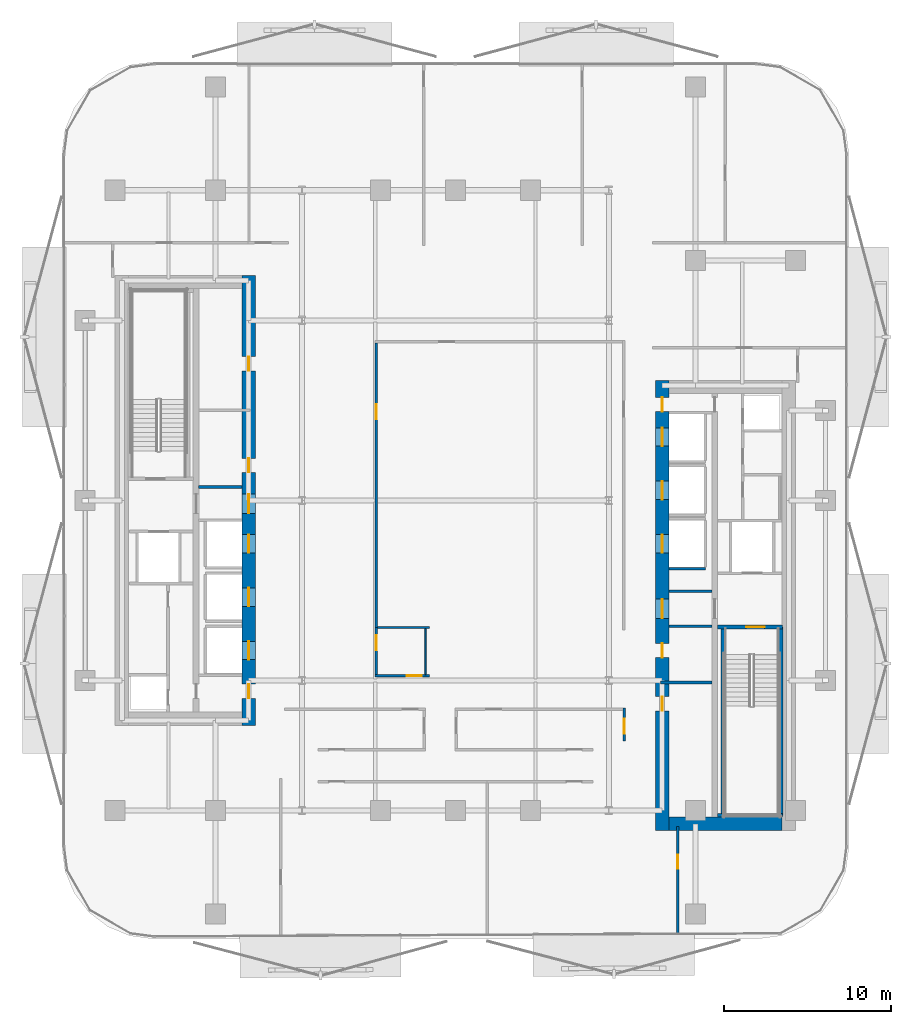
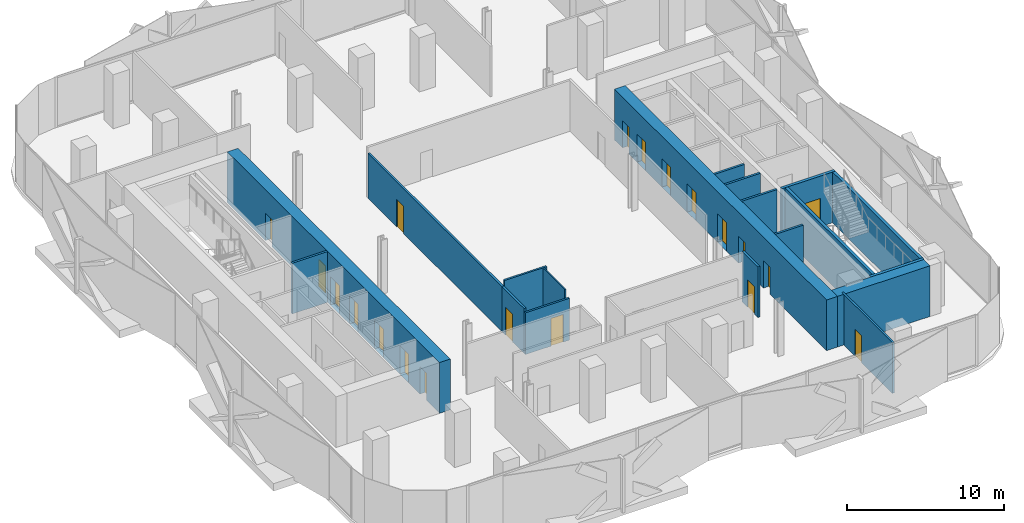
# One storey, part 4 of 15: 20 doors, 19 walls, 20 openings.
"""IFC4 building model written with IfcOpenShell, lengths in metres."""

from ifc_helpers import new_model, si_unit, direction, frame, frame_2d, origin, place, context, subcontext, project, spatial, rectangle, extrude, material, layer, layer_set, type_object, element, fill, save


model = new_model("IFC4")

# Units and contexts
model_context = context("Model", 3, precision=1e-05, world=origin(), true_north=direction((0.0, 1.0)))
body_context = subcontext(model_context, "Body", "Model", "MODEL_VIEW")
ifc_project = project(units=[si_unit("LENGTHUNIT", "METRE"), si_unit("AREAUNIT", "SQUARE_METRE"), si_unit("VOLUMEUNIT", "CUBIC_METRE"), si_unit("PLANEANGLEUNIT", "RADIAN"), si_unit("MASSUNIT", "GRAM", prefix="KILO")], contexts=[model_context])

# Site, building, storey
site_placement = place(None, origin())
site = spatial("IfcSite", under=ifc_project, at=site_placement, CompositionType="ELEMENT")
building_placement = place(site_placement, origin())
building = spatial("IfcBuilding", under=site, at=building_placement, Name="Khairoan Windgate Tower", CompositionType="ELEMENT")
storey_placement = place(building_placement, frame((0.0, 0.0, 122.60009765625)))
storey = spatial("IfcBuildingStorey", under=building, at=storey_placement, Name="L28", CompositionType="ELEMENT", Elevation=122.60009765625)

# Walls
ifc_material_1 = material(Name="Moisture-Resistant Gypsum Partition", Category="gypsum")
ifc_layer_1 = layer(ifc_material_1, 0.10009765625, Name="Moisture-Resistant Gypsum Partition")
ifc_layer_set_1 = layer_set([ifc_layer_1], Name="Moisture-Resistant Gypsum Partition")
wall_type_1 = type_object("IfcWallType", Name="Bathroom Wet-Area Partition Wall", PredefinedType="PARTITIONING", material=ifc_layer_set_1)
wall_1_placement = place(storey_placement, frame((-1.800048828125, -7.68994140625, 0.0), z_axis=(0.0, 0.0, 1.0), x_axis=(0.0, -1.0, 0.0)))
element("IfcWall", 1, at=wall_1_placement, inside=storey, type_object=wall_type_1, Name="L28 Wet Room Side Wall 043", PredefinedType="PARTITIONING", context=body_context, shape_type="SweptSolid", body=[
    extrude(rectangle(XDim=2.755126953125, YDim=0.10009765625, at=frame_2d((1.37744140625, 0.0))), origin(), (0.0, 0.0, 1.0), 3.93994140625),
])
ifc_material_2 = material(Name="Concrete C40/50", Category="concrete")
ifc_layer_2 = layer(ifc_material_2, 0.159912109375, Name="Concrete C40/50")
ifc_layer_set_2 = layer_set([ifc_layer_2], Name="Concrete C40/50")
wall_type_2 = type_object("IfcWallType", Name="Core and Hoistway Enclosure Wall", PredefinedType="STANDARD", material=ifc_layer_set_2)
wall_2_placement = place(storey_placement, frame((12.800048828125, -4.090087890625, 0.0), z_axis=(0.0, 0.0, 1.0), x_axis=(1.0, 0.0, 0.0)))
element("IfcWall", 2, at=wall_2_placement, inside=storey, type_object=wall_type_2, Name="L28 Lift PL9 Hoistway Divider S", PredefinedType="STANDARD", context=body_context, shape_type="SweptSolid", body=[
    extrude(rectangle(XDim=2.18994140625, YDim=0.159912109375, at=frame_2d((1.094970703125, 0.0))), origin(), (0.0, 0.0, 1.0), 3.93994140625),
])
for number, where, z_axis, x_axis, name in (
    (3, (-15.39990234375, 0.800048828125, 0.0), (0.0, 0.0, 1.0), (1.0, 0.0, 0.0), "L28 Core Shaft Wall SW-WV1-L28"),
    (4, (12.800048828125, -5.449951171875, 0.0), (0.0, 0.0, 1.0), (1.0, 0.0, 0.0), "L28 Core Shaft Wall SW-EV1-L28"),
    (5, (12.800048828125, -7.5400390625, 0.0), (0.0, 0.0, 1.0), (1.0, 0.0, 0.0), "L28 Core Shaft Wall SW-EV2-L28"),
):
    element("IfcWall", number, at=place(storey_placement, frame(where, z_axis=z_axis, x_axis=x_axis)), inside=storey, type_object=wall_type_2, Name=name, PredefinedType="STANDARD", context=body_context, shape_type="SweptSolid", body=[
        extrude(rectangle(XDim=2.599853515625, YDim=0.159912109375, at=frame_2d((1.2998046875, 0.0))), origin(), (0.0, 0.0, 1.0), 3.93994140625),
    ])

# Wall, opening, door
ifc_material_3 = material(Name="Acoustic Fire-Rated Gypsum Partition", Category="gypsum")
ifc_layer_3 = layer(ifc_material_3, 0.139892578125, Name="Acoustic Fire-Rated Gypsum Partition")
ifc_layer_set_3 = layer_set([ifc_layer_3], Name="Acoustic Fire-Rated Gypsum Partition")
wall_type_3 = type_object("IfcWallType", Name="Inter-Tenancy Compartment Wall", PredefinedType="PARTITIONING", material=ifc_layer_set_3)
wall_3_placement = place(storey_placement, frame((13.327880859375, -26.001220703125, 0.0), z_axis=(0.0, 0.0, 1.0), x_axis=(0.0, 1.0, 0.0)))
wall_3 = element("IfcWall", 6, at=wall_3_placement, inside=storey, type_object=wall_type_3, Name="L28 Interior Partition 040", PredefinedType="PARTITIONING", context=body_context, shape_type="SweptSolid", body=[
    extrude(rectangle(XDim=6.441162109375, YDim=0.139892578125, at=frame_2d((3.220703125, 0.0))), origin(), (0.0, 0.0, 1.0), 3.93994140625),
])
opening_1_placement = place(wall_3_placement, frame((3.91259765625, 0.0, 0.0)))
opening_1 = element("IfcOpeningElement", 7, at=opening_1_placement, cuts=wall_3, Name="Opening FD-SRV", PredefinedType="OPENING", context=body_context, shape_type="SweptSolid", body=[
    extrude(rectangle(XDim=0.85009765625, YDim=2.10009765625, at=frame_2d((0.425048828125, 1.050048828125))), frame((0.0, 0.079833984375, 0.0), z_axis=(0.0, -1.0, 0.0), x_axis=(1.0, 0.0, 0.0)), (0.0, 0.0, 1.0), 0.159912109375),
])
ifc_material_4 = material(Name="Steel S355", Category="steel")
door_type_1 = type_object("IfcDoorType", Name="Core Service and Riser Fire Door FD-SRV 850x2100", OperationType="NOTDEFINED", PredefinedType="DOOR", material=ifc_material_4)
door_1_placement = place(opening_1_placement, origin())
door_1 = element("IfcDoor", 8, at=door_1_placement, inside=storey, type_object=door_type_1, Name="L28 L28-47-L28-48 Door", OperationType="SINGLE_SWING_LEFT", OverallHeight=2.10009765625, OverallWidth=0.85009765625, PredefinedType="DOOR", context=body_context, shape_type="SweptSolid", body=[
    extrude(rectangle(XDim=0.85009765625, YDim=2.10009765625, at=frame_2d((0.425048828125, 1.050048828125))), frame((0.0, 0.02490234375, 0.0), z_axis=(0.0, -1.0, 0.0), x_axis=(1.0, 0.0, 0.0)), (0.0, 0.0, 1.0), 0.050048828125),
])
fill(opening_1, door_1)

# Walls
wall_4_placement = place(storey_placement, frame((-4.669921875, -7.6201171875, 0.0), z_axis=(0.0, 0.0, 1.0), x_axis=(1.0, 0.0, 0.0)))
element("IfcWall", 9, at=wall_4_placement, inside=storey, type_object=wall_type_3, Name="L28 Interior Partition 041", PredefinedType="PARTITIONING", context=body_context, shape_type="SweptSolid", body=[
    extrude(rectangle(XDim=3.10986328125, YDim=0.139892578125, at=frame_2d((1.554931640625, 0.0))), origin(), (0.0, 0.0, 1.0), 3.93994140625),
])
ifc_material_5 = material(Name="Concrete C40/50", Category="concrete")
ifc_layer_4 = layer(ifc_material_5, 0.159912109375, Name="Concrete C40/50")
ifc_layer_set_4 = layer_set([ifc_layer_4], Name="Concrete C40/50")
wall_type_4 = type_object("IfcWallType", Name="Plant and Refuge Compartment Wall", PredefinedType="PARTITIONING", material=ifc_layer_set_4)
wall_5_placement = place(storey_placement, frame((12.31005859375, -10.919921875, 0.0), z_axis=(0.0, 0.0, 1.0), x_axis=(1.0, 0.0, 0.0)))
element("IfcWall", 10, at=wall_5_placement, inside=storey, type_object=wall_type_4, Name="L28 Interior Partition 010", PredefinedType="PARTITIONING", context=body_context, shape_type="SweptSolid", body=[
    extrude(rectangle(XDim=3.06494140625, YDim=0.159912109375, at=frame_2d((1.532470703125, 0.0))), origin(), (0.0, 0.0, 1.0), 3.239990234375),
])

# Wall, opening, door
ifc_material_6 = material(Name="Acoustic Fire-Rated Gypsum Partition", Category="gypsum")
ifc_layer_5 = layer(ifc_material_6, 0.14990234375, Name="Acoustic Fire-Rated Gypsum Partition")
ifc_layer_set_5 = layer_set([ifc_layer_5], Name="Acoustic Fire-Rated Gypsum Partition")
wall_type_5 = type_object("IfcWallType", Name="Rated Corridor Partition Wall", PredefinedType="PARTITIONING", material=ifc_layer_set_5)
wall_6_placement = place(storey_placement, frame((10.125, -14.43994140625, 0.0), z_axis=(0.0, 0.0, 1.0), x_axis=(0.0, 1.0, 0.0)))
wall_6 = element("IfcWall", 11, at=wall_6_placement, inside=storey, type_object=wall_type_5, Name="L28 Interior Partition 013", PredefinedType="PARTITIONING", context=body_context, shape_type="SweptSolid", body=[
    extrude(rectangle(XDim=2.0, YDim=0.14990234375, at=frame_2d((1.0, 0.0))), origin(), (0.0, 0.0, 1.0), 3.93994140625),
])
opening_2_placement = place(wall_6_placement, frame((0.4599609375, 0.0, 0.0)))
opening_2 = element("IfcOpeningElement", 12, at=opening_2_placement, cuts=wall_6, Name="Opening FD-ENT", PredefinedType="OPENING", context=body_context, shape_type="SweptSolid", body=[
    extrude(rectangle(XDim=0.89990234375, YDim=2.14990234375, at=frame_2d((0.449951171875, 1.074951171875))), frame((0.0, 0.0849609375, 0.0), z_axis=(0.0, -1.0, 0.0), x_axis=(1.0, 0.0, 0.0)), (0.0, 0.0, 1.0), 0.169921875),
])
ifc_material_7 = material(Name="Timber Fire-Rated Core", Category="wood")
door_type_2 = type_object("IfcDoorType", Name="Unit and Office Fire Entrance Door FD-ENT 900x2150", OperationType="NOTDEFINED", PredefinedType="DOOR", material=ifc_material_7)
door_2_placement = place(opening_2_placement, origin())
door_2 = element("IfcDoor", 13, at=door_2_placement, inside=storey, type_object=door_type_2, Name="L28 L28-29-L28-52 Door", OperationType="SINGLE_SWING_RIGHT", OverallHeight=2.14990234375, OverallWidth=0.89990234375, PredefinedType="DOOR", context=body_context, shape_type="SweptSolid", body=[
    extrude(rectangle(XDim=0.89990234375, YDim=2.14990234375, at=frame_2d((0.449951171875, 1.074951171875))), frame((0.0, 0.02490234375, 0.0), z_axis=(0.0, -1.0, 0.0), x_axis=(1.0, 0.0, 0.0)), (0.0, 0.0, 1.0), 0.050048828125),
])
fill(opening_2, door_2)

wall_7_placement = place(storey_placement, frame((-4.820068359375, -10.52001953125, 0.0), z_axis=(0.0, 0.0, 1.0), x_axis=(1.0, 0.0, 0.0)))
wall_7 = element("IfcWall", 14, at=wall_7_placement, inside=storey, type_object=wall_type_5, Name="L28 Interior Partition 015", PredefinedType="PARTITIONING", context=body_context, shape_type="SweptSolid", body=[
    extrude(rectangle(XDim=3.260009765625, YDim=0.14990234375, at=frame_2d((1.6298828125, 0.0))), origin(), (0.0, 0.0, 1.0), 3.239990234375),
])
opening_3_placement = place(wall_7_placement, frame((1.89990234375, 0.0, 0.0)))
opening_3 = element("IfcOpeningElement", 15, at=opening_3_placement, cuts=wall_7, Name="Opening FD-ENT", PredefinedType="OPENING", context=body_context, shape_type="SweptSolid", body=[
    extrude(rectangle(XDim=0.89990234375, YDim=2.14990234375, at=frame_2d((0.449951171875, 1.074951171875))), frame((0.0, 0.0849609375, 0.0), z_axis=(0.0, -1.0, 0.0), x_axis=(1.0, 0.0, 0.0)), (0.0, 0.0, 1.0), 0.169921875),
])
door_3_placement = place(opening_3_placement, origin())
door_3 = element("IfcDoor", 16, at=door_3_placement, inside=storey, type_object=door_type_2, Name="L28 L28-31-L28-49 Door", OperationType="SINGLE_SWING_RIGHT", OverallHeight=2.14990234375, OverallWidth=0.89990234375, PredefinedType="DOOR", context=body_context, shape_type="SweptSolid", body=[
    extrude(rectangle(XDim=0.89990234375, YDim=2.14990234375, at=frame_2d((0.449951171875, 1.074951171875))), frame((0.0, 0.02490234375, 0.0), z_axis=(0.0, -1.0, 0.0), x_axis=(1.0, 0.0, 0.0)), (0.0, 0.0, 1.0), 0.050048828125),
])
fill(opening_3, door_3)

wall_8_placement = place(storey_placement, frame((-4.7451171875, -10.445068359375, 0.0), z_axis=(0.0, 0.0, 1.0), x_axis=(0.0, 1.0, 0.0)))
wall_8 = element("IfcWall", 17, at=wall_8_placement, inside=storey, type_object=wall_type_5, Name="L28 Interior Partition 018", PredefinedType="PARTITIONING", context=body_context, shape_type="SweptSolid", body=[
    extrude(rectangle(XDim=2.824951171875, YDim=0.14990234375, at=frame_2d((1.41259765625, 0.0))), origin(), (0.0, 0.0, 1.0), 3.489990234375),
])
opening_4_placement = place(wall_8_placement, frame((1.465087890625, 0.0, 0.0)))
opening_4 = element("IfcOpeningElement", 18, at=opening_4_placement, cuts=wall_8, Name="Opening FD-ENT", PredefinedType="OPENING", context=body_context, shape_type="SweptSolid", body=[
    extrude(rectangle(XDim=0.89990234375, YDim=2.14990234375, at=frame_2d((0.449951171875, 1.074951171875))), frame((0.0, 0.0849609375, 0.0), z_axis=(0.0, -1.0, 0.0), x_axis=(1.0, 0.0, 0.0)), (0.0, 0.0, 1.0), 0.169921875),
])
door_4_placement = place(opening_4_placement, origin())
door_4 = element("IfcDoor", 19, at=door_4_placement, inside=storey, type_object=door_type_2, Name="L28 L28-32-L28-49 Door", OperationType="SINGLE_SWING_LEFT", OverallHeight=2.14990234375, OverallWidth=0.89990234375, PredefinedType="DOOR", context=body_context, shape_type="SweptSolid", body=[
    extrude(rectangle(XDim=0.89990234375, YDim=2.14990234375, at=frame_2d((0.449951171875, 1.074951171875))), frame((0.0, 0.02490234375, 0.0), z_axis=(0.0, -1.0, 0.0), x_axis=(1.0, 0.0, 0.0)), (0.0, 0.0, 1.0), 0.050048828125),
])
fill(opening_4, door_4)

wall_9_placement = place(storey_placement, frame((-4.7451171875, -7.6201171875, 0.0), z_axis=(0.0, 0.0, 1.0), x_axis=(0.0, 1.0, 0.0)))
wall_9 = element("IfcWall", 20, at=wall_9_placement, inside=storey, type_object=wall_type_5, Name="L28 Interior Partition 019", PredefinedType="PARTITIONING", context=body_context, shape_type="SweptSolid", body=[
    extrude(rectangle(XDim=17.065185546875, YDim=0.14990234375, at=frame_2d((8.53271484375, 0.0))), origin(), (0.0, 0.0, 1.0), 3.489990234375),
])
opening_5_placement = place(wall_9_placement, frame((12.49560546875, 0.0, 0.0)))
opening_5 = element("IfcOpeningElement", 21, at=opening_5_placement, cuts=wall_9, Name="Opening FD-ENT", PredefinedType="OPENING", context=body_context, shape_type="SweptSolid", body=[
    extrude(rectangle(XDim=0.89990234375, YDim=2.14990234375, at=frame_2d((0.449951171875, 1.074951171875))), frame((0.0, 0.0849609375, 0.0), z_axis=(0.0, -1.0, 0.0), x_axis=(1.0, 0.0, 0.0)), (0.0, 0.0, 1.0), 0.169921875),
])
door_5_placement = place(opening_5_placement, origin())
door_5 = element("IfcDoor", 22, at=door_5_placement, inside=storey, type_object=door_type_2, Name="L28 L28-32-L28-50 Door", OperationType="SINGLE_SWING_RIGHT", OverallHeight=2.14990234375, OverallWidth=0.89990234375, PredefinedType="DOOR", context=body_context, shape_type="SweptSolid", body=[
    extrude(rectangle(XDim=0.89990234375, YDim=2.14990234375, at=frame_2d((0.449951171875, 1.074951171875))), frame((0.0, 0.02490234375, 0.0), z_axis=(0.0, -1.0, 0.0), x_axis=(1.0, 0.0, 0.0)), (0.0, 0.0, 1.0), 0.050048828125),
])
fill(opening_5, door_5)

# Wall, openings, doors
ifc_material_8 = material(Name="Concrete C70/85", Category="concrete")
ifc_layer_6 = layer(ifc_material_8, 0.800048828125, Name="Concrete C70/85")
ifc_layer_set_6 = layer_set([ifc_layer_6], Name="Concrete C70/85")
wall_type_6 = type_object("IfcWallType", Name="Shear Wall CW-E1 800mm", PredefinedType="SHEAR", material=ifc_layer_set_6)
wall_10_placement = place(storey_placement, frame((12.39990234375, -19.800048828125, 0.0), z_axis=(0.0, 0.0, 1.0), x_axis=(0.0, 1.0, 0.0)))
wall_10 = element("IfcWall", 23, at=wall_10_placement, inside=storey, type_object=wall_type_6, Name="E Core West Shear Wall L28", PredefinedType="SHEAR", context=body_context, shape_type="SweptSolid", body=[
    extrude(rectangle(XDim=27.0, YDim=0.800048828125, at=frame_2d((13.5, 0.0))), origin(), (0.0, 0.0, 1.0), 3.93994140625),
])
opening_6_placement = place(wall_10_placement, frame((23.050048828125, 0.0, 0.0)))
opening_6 = element("IfcOpeningElement", 24, at=opening_6_placement, cuts=wall_10, Name="Opening LD-PL", PredefinedType="OPENING", context=body_context, shape_type="SweptSolid", body=[
    extrude(rectangle(XDim=1.10009765625, YDim=2.199951171875, at=frame_2d((0.550048828125, 1.10009765625))), frame((0.0, 0.409912109375, 0.0), z_axis=(0.0, -1.0, 0.0), x_axis=(1.0, 0.0, 0.0)), (0.0, 0.0, 1.0), 0.820068359375),
])
opening_7_placement = place(wall_10_placement, frame((19.85009765625, 0.0, 0.0)))
opening_7 = element("IfcOpeningElement", 25, at=opening_7_placement, cuts=wall_10, Name="Opening LD-PL", PredefinedType="OPENING", context=body_context, shape_type="SweptSolid", body=[
    extrude(rectangle(XDim=1.10009765625, YDim=2.199951171875, at=frame_2d((0.550048828125, 1.10009765625))), frame((0.0, 0.409912109375, 0.0), z_axis=(0.0, -1.0, 0.0), x_axis=(1.0, 0.0, 0.0)), (0.0, 0.0, 1.0), 0.820068359375),
])
opening_8_placement = place(wall_10_placement, frame((16.64990234375, 0.0, 0.0)))
opening_8 = element("IfcOpeningElement", 26, at=opening_8_placement, cuts=wall_10, Name="Opening LD-PL", PredefinedType="OPENING", context=body_context, shape_type="SweptSolid", body=[
    extrude(rectangle(XDim=1.10009765625, YDim=2.199951171875, at=frame_2d((0.550048828125, 1.10009765625))), frame((0.0, 0.409912109375, 0.0), z_axis=(0.0, -1.0, 0.0), x_axis=(1.0, 0.0, 0.0)), (0.0, 0.0, 1.0), 0.820068359375),
])
opening_9_placement = place(wall_10_placement, frame((7.175048828125, 0.0, 0.0)))
opening_9 = element("IfcOpeningElement", 27, at=opening_9_placement, cuts=wall_10, Name="Opening FD-SRV", PredefinedType="OPENING", context=body_context, shape_type="SweptSolid", body=[
    extrude(rectangle(XDim=0.85009765625, YDim=2.10009765625, at=frame_2d((0.425048828125, 1.050048828125))), frame((0.0, 0.409912109375, 0.0), z_axis=(0.0, -1.0, 0.0), x_axis=(1.0, 0.0, 0.0)), (0.0, 0.0, 1.0), 0.820068359375),
])
opening_10_placement = place(wall_10_placement, frame((10.375, 0.0, 0.0)))
opening_10 = element("IfcOpeningElement", 28, at=opening_10_placement, cuts=wall_10, Name="Opening FD-SRV", PredefinedType="OPENING", context=body_context, shape_type="SweptSolid", body=[
    extrude(rectangle(XDim=0.85009765625, YDim=2.10009765625, at=frame_2d((0.425048828125, 1.050048828125))), frame((0.0, 0.409912109375, 0.0), z_axis=(0.0, -1.0, 0.0), x_axis=(1.0, 0.0, 0.0)), (0.0, 0.0, 1.0), 0.820068359375),
])
opening_11_placement = place(wall_10_placement, frame((12.72509765625, 0.0, 0.0)))
opening_11 = element("IfcOpeningElement", 29, at=opening_11_placement, cuts=wall_10, Name="Opening FD-FFL", PredefinedType="OPENING", context=body_context, shape_type="SweptSolid", body=[
    extrude(rectangle(XDim=1.14990234375, YDim=2.199951171875, at=frame_2d((0.574951171875, 1.10009765625))), frame((0.0, 0.409912109375, 0.0), z_axis=(0.0, -1.0, 0.0), x_axis=(1.0, 0.0, 0.0)), (0.0, 0.0, 1.0), 0.820068359375),
])
opening_12_placement = place(wall_10_placement, frame((25.125, 0.0, 0.0)))
opening_12 = element("IfcOpeningElement", 30, at=opening_12_placement, cuts=wall_10, Name="Opening FD-SRV", PredefinedType="OPENING", context=body_context, shape_type="SweptSolid", body=[
    extrude(rectangle(XDim=0.85009765625, YDim=2.10009765625, at=frame_2d((0.425048828125, 1.050048828125))), frame((0.0, 0.409912109375, 0.0), z_axis=(0.0, -1.0, 0.0), x_axis=(1.0, 0.0, 0.0)), (0.0, 0.0, 1.0), 0.820068359375),
])
door_6_placement = place(opening_9_placement, origin())
door_6 = element("IfcDoor", 31, at=door_6_placement, inside=storey, type_object=door_type_1, Name="L28 East Core Service Room Door 1", OperationType="SINGLE_SWING_LEFT", OverallHeight=2.10009765625, OverallWidth=0.85009765625, PredefinedType="DOOR", context=body_context, shape_type="SweptSolid", body=[
    extrude(rectangle(XDim=0.85009765625, YDim=2.10009765625, at=frame_2d((0.425048828125, 1.050048828125))), frame((0.0, 0.02490234375, 0.0), z_axis=(0.0, -1.0, 0.0), x_axis=(1.0, 0.0, 0.0)), (0.0, 0.0, 1.0), 0.050048828125),
])
fill(opening_9, door_6)
door_7_placement = place(opening_10_placement, origin())
door_7 = element("IfcDoor", 32, at=door_7_placement, inside=storey, type_object=door_type_1, Name="L28 East Core Service Room Door 2", OperationType="SINGLE_SWING_RIGHT", OverallHeight=2.10009765625, OverallWidth=0.85009765625, PredefinedType="DOOR", context=body_context, shape_type="SweptSolid", body=[
    extrude(rectangle(XDim=0.85009765625, YDim=2.10009765625, at=frame_2d((0.425048828125, 1.050048828125))), frame((0.0, 0.02490234375, 0.0), z_axis=(0.0, -1.0, 0.0), x_axis=(1.0, 0.0, 0.0)), (0.0, 0.0, 1.0), 0.050048828125),
])
fill(opening_10, door_7)
door_8_placement = place(opening_12_placement, origin())
door_8 = element("IfcDoor", 33, at=door_8_placement, inside=storey, type_object=door_type_1, Name="L28 East Core Service Vestibule Outer Door", OperationType="SINGLE_SWING_LEFT", OverallHeight=2.10009765625, OverallWidth=0.85009765625, PredefinedType="DOOR", context=body_context, shape_type="SweptSolid", body=[
    extrude(rectangle(XDim=0.85009765625, YDim=2.10009765625, at=frame_2d((0.425048828125, 1.050048828125))), frame((0.0, 0.02490234375, 0.0), z_axis=(0.0, -1.0, 0.0), x_axis=(1.0, 0.0, 0.0)), (0.0, 0.0, 1.0), 0.050048828125),
])
fill(opening_12, door_8)
ifc_material_9 = material(Name="Steel S355", Category="steel")
door_type_3 = type_object("IfcDoorType", Name="Firefighting Lobby Fire Door FD-FFL 1150x2200", OperationType="NOTDEFINED", PredefinedType="DOOR", material=ifc_material_9)
door_9_placement = place(opening_11_placement, origin())
door_9 = element("IfcDoor", 34, at=door_9_placement, inside=storey, type_object=door_type_3, Name="L28 East Core Vestibule Entry Door", OperationType="SINGLE_SWING_LEFT", OverallHeight=2.199951171875, OverallWidth=1.14990234375, PredefinedType="DOOR", context=body_context, shape_type="SweptSolid", body=[
    extrude(rectangle(XDim=1.14990234375, YDim=2.199951171875, at=frame_2d((0.574951171875, 1.10009765625))), frame((0.0, 0.02490234375, 0.0), z_axis=(0.0, -1.0, 0.0), x_axis=(1.0, 0.0, 0.0)), (0.0, 0.0, 1.0), 0.050048828125),
])
fill(opening_11, door_9)
ifc_material_10 = material(Name="Anodised Bronze Aluminium 6063-T6", Category="aluminium")
door_type_4 = type_object("IfcDoorType", Name="Passenger Lift Sliding Landing Door LD-PL 1100x2200", OperationType="DOUBLE_DOOR_SLIDING", PredefinedType="DOOR", material=ifc_material_10)
door_10_placement = place(opening_6_placement, origin())
door_10 = element("IfcDoor", 35, at=door_10_placement, inside=storey, type_object=door_type_4, Name="L28 Lift PL7 Sliding Landing Door", OperationType="DOUBLE_DOOR_SLIDING", OverallHeight=2.199951171875, OverallWidth=1.10009765625, PredefinedType="DOOR", context=body_context, shape_type="SweptSolid", body=[
    extrude(rectangle(XDim=1.10009765625, YDim=2.199951171875, at=frame_2d((0.550048828125, 1.10009765625))), frame((0.0, 0.02490234375, 0.0), z_axis=(0.0, -1.0, 0.0), x_axis=(1.0, 0.0, 0.0)), (0.0, 0.0, 1.0), 0.050048828125),
])
fill(opening_6, door_10)
door_11_placement = place(opening_7_placement, origin())
door_11 = element("IfcDoor", 36, at=door_11_placement, inside=storey, type_object=door_type_4, Name="L28 Lift PL8 Sliding Landing Door", OperationType="DOUBLE_DOOR_SLIDING", OverallHeight=2.199951171875, OverallWidth=1.10009765625, PredefinedType="DOOR", context=body_context, shape_type="SweptSolid", body=[
    extrude(rectangle(XDim=1.10009765625, YDim=2.199951171875, at=frame_2d((0.550048828125, 1.10009765625))), frame((0.0, 0.02490234375, 0.0), z_axis=(0.0, -1.0, 0.0), x_axis=(1.0, 0.0, 0.0)), (0.0, 0.0, 1.0), 0.050048828125),
])
fill(opening_7, door_11)
door_12_placement = place(opening_8_placement, origin())
door_12 = element("IfcDoor", 37, at=door_12_placement, inside=storey, type_object=door_type_4, Name="L28 Lift PL9 Sliding Landing Door", OperationType="DOUBLE_DOOR_SLIDING", OverallHeight=2.199951171875, OverallWidth=1.10009765625, PredefinedType="DOOR", context=body_context, shape_type="SweptSolid", body=[
    extrude(rectangle(XDim=1.10009765625, YDim=2.199951171875, at=frame_2d((0.550048828125, 1.10009765625))), frame((0.0, 0.02490234375, 0.0), z_axis=(0.0, -1.0, 0.0), x_axis=(1.0, 0.0, 0.0)), (0.0, 0.0, 1.0), 0.050048828125),
])
fill(opening_8, door_12)

# Wall
wall_11_placement = place(storey_placement, frame((12.800048828125, -19.39990234375, 0.0), z_axis=(0.0, 0.0, 1.0), x_axis=(1.0, 0.0, 0.0)))
element("IfcWall", 38, at=wall_11_placement, inside=storey, type_object=wall_type_6, Name="E Core South Shear Wall L28", PredefinedType="SHEAR", context=body_context, shape_type="SweptSolid", body=[
    extrude(rectangle(XDim=6.800048828125, YDim=0.800048828125, at=frame_2d((3.39990234375, 0.0))), origin(), (0.0, 0.0, 1.0), 3.93994140625),
])

# Wall, openings, doors
ifc_material_11 = material(Name="Concrete C70/85", Category="concrete")
ifc_layer_7 = layer(ifc_material_11, 0.800048828125, Name="Concrete C70/85")
ifc_layer_set_7 = layer_set([ifc_layer_7], Name="Concrete C70/85")
wall_type_7 = type_object("IfcWallType", Name="Shear Wall CW-W1 800mm", PredefinedType="SHEAR", material=ifc_layer_set_7)
wall_12_placement = place(storey_placement, frame((-12.39990234375, -13.5, 0.0), z_axis=(0.0, 0.0, 1.0), x_axis=(0.0, 1.0, 0.0)))
wall_12 = element("IfcWall", 39, at=wall_12_placement, inside=storey, type_object=wall_type_7, Name="W Core East Shear Wall L28", PredefinedType="SHEAR", context=body_context, shape_type="SweptSolid", body=[
    extrude(rectangle(XDim=27.0, YDim=0.800048828125, at=frame_2d((13.5, 0.0))), origin(), (0.0, 0.0, 1.0), 3.93994140625),
])
opening_13_placement = place(wall_12_placement, frame((10.35009765625, 0.0, 0.0)))
opening_13 = element("IfcOpeningElement", 40, at=opening_13_placement, cuts=wall_12, Name="Opening LD-PL", PredefinedType="OPENING", context=body_context, shape_type="SweptSolid", body=[
    extrude(rectangle(XDim=1.10009765625, YDim=2.199951171875, at=frame_2d((0.550048828125, 1.10009765625))), frame((0.0, 0.409912109375, 0.0), z_axis=(0.0, -1.0, 0.0), x_axis=(1.0, 0.0, 0.0)), (0.0, 0.0, 1.0), 0.820068359375),
])
opening_14_placement = place(wall_12_placement, frame((7.14990234375, 0.0, 0.0)))
opening_14 = element("IfcOpeningElement", 41, at=opening_14_placement, cuts=wall_12, Name="Opening LD-PL", PredefinedType="OPENING", context=body_context, shape_type="SweptSolid", body=[
    extrude(rectangle(XDim=1.10009765625, YDim=2.199951171875, at=frame_2d((0.550048828125, 1.10009765625))), frame((0.0, 0.409912109375, 0.0), z_axis=(0.0, -1.0, 0.0), x_axis=(1.0, 0.0, 0.0)), (0.0, 0.0, 1.0), 0.820068359375),
])
opening_15_placement = place(wall_12_placement, frame((3.949951171875, 0.0, 0.0)))
opening_15 = element("IfcOpeningElement", 42, at=opening_15_placement, cuts=wall_12, Name="Opening LD-PL", PredefinedType="OPENING", context=body_context, shape_type="SweptSolid", body=[
    extrude(rectangle(XDim=1.10009765625, YDim=2.199951171875, at=frame_2d((0.550048828125, 1.10009765625))), frame((0.0, 0.409912109375, 0.0), z_axis=(0.0, -1.0, 0.0), x_axis=(1.0, 0.0, 0.0)), (0.0, 0.0, 1.0), 0.820068359375),
])
opening_16_placement = place(wall_12_placement, frame((15.175048828125, 0.0, 0.0)))
opening_16 = element("IfcOpeningElement", 43, at=opening_16_placement, cuts=wall_12, Name="Opening FD-SRV", PredefinedType="OPENING", context=body_context, shape_type="SweptSolid", body=[
    extrude(rectangle(XDim=0.85009765625, YDim=2.10009765625, at=frame_2d((0.425048828125, 1.050048828125))), frame((0.0, 0.409912109375, 0.0), z_axis=(0.0, -1.0, 0.0), x_axis=(1.0, 0.0, 0.0)), (0.0, 0.0, 1.0), 0.820068359375),
])
opening_17_placement = place(wall_12_placement, frame((21.27490234375, 0.0, 0.0)))
opening_17 = element("IfcOpeningElement", 44, at=opening_17_placement, cuts=wall_12, Name="Opening FD-SRV", PredefinedType="OPENING", context=body_context, shape_type="SweptSolid", body=[
    extrude(rectangle(XDim=0.85009765625, YDim=2.10009765625, at=frame_2d((0.425048828125, 1.050048828125))), frame((0.0, 0.409912109375, 0.0), z_axis=(0.0, -1.0, 0.0), x_axis=(1.0, 0.0, 0.0)), (0.0, 0.0, 1.0), 0.820068359375),
])
opening_18_placement = place(wall_12_placement, frame((12.72509765625, 0.0, 0.0)))
opening_18 = element("IfcOpeningElement", 45, at=opening_18_placement, cuts=wall_12, Name="Opening FD-FFL", PredefinedType="OPENING", context=body_context, shape_type="SweptSolid", body=[
    extrude(rectangle(XDim=1.14990234375, YDim=2.199951171875, at=frame_2d((0.574951171875, 1.10009765625))), frame((0.0, 0.409912109375, 0.0), z_axis=(0.0, -1.0, 0.0), x_axis=(1.0, 0.0, 0.0)), (0.0, 0.0, 1.0), 0.820068359375),
])
opening_19_placement = place(wall_12_placement, frame((1.625, 0.0, 0.0)))
opening_19 = element("IfcOpeningElement", 46, at=opening_19_placement, cuts=wall_12, Name="Opening FD-SRV", PredefinedType="OPENING", context=body_context, shape_type="SweptSolid", body=[
    extrude(rectangle(XDim=0.85009765625, YDim=2.10009765625, at=frame_2d((0.425048828125, 1.050048828125))), frame((0.0, 0.409912109375, 0.0), z_axis=(0.0, -1.0, 0.0), x_axis=(1.0, 0.0, 0.0)), (0.0, 0.0, 1.0), 0.820068359375),
])
door_13_placement = place(opening_16_placement, origin())
door_13 = element("IfcDoor", 47, at=door_13_placement, inside=storey, type_object=door_type_1, Name="L28 Upper Core Room Door B1-1", OperationType="SINGLE_SWING_LEFT", OverallHeight=2.10009765625, OverallWidth=0.85009765625, PredefinedType="DOOR", context=body_context, shape_type="SweptSolid", body=[
    extrude(rectangle(XDim=0.85009765625, YDim=2.10009765625, at=frame_2d((0.425048828125, 1.050048828125))), frame((0.0, 0.02490234375, 0.0), z_axis=(0.0, -1.0, 0.0), x_axis=(1.0, 0.0, 0.0)), (0.0, 0.0, 1.0), 0.050048828125),
])
fill(opening_16, door_13)
door_14_placement = place(opening_17_placement, origin())
door_14 = element("IfcDoor", 48, at=door_14_placement, inside=storey, type_object=door_type_1, Name="L28 Upper Core Room Door B1-2", OperationType="SINGLE_SWING_RIGHT", OverallHeight=2.10009765625, OverallWidth=0.85009765625, PredefinedType="DOOR", context=body_context, shape_type="SweptSolid", body=[
    extrude(rectangle(XDim=0.85009765625, YDim=2.10009765625, at=frame_2d((0.425048828125, 1.050048828125))), frame((0.0, 0.02490234375, 0.0), z_axis=(0.0, -1.0, 0.0), x_axis=(1.0, 0.0, 0.0)), (0.0, 0.0, 1.0), 0.050048828125),
])
fill(opening_17, door_14)
door_15_placement = place(opening_19_placement, origin())
door_15 = element("IfcDoor", 49, at=door_15_placement, inside=storey, type_object=door_type_1, Name="L28 West Core Service Vestibule Outer Door", OperationType="SINGLE_SWING_LEFT", OverallHeight=2.10009765625, OverallWidth=0.85009765625, PredefinedType="DOOR", context=body_context, shape_type="SweptSolid", body=[
    extrude(rectangle(XDim=0.85009765625, YDim=2.10009765625, at=frame_2d((0.425048828125, 1.050048828125))), frame((0.0, 0.02490234375, 0.0), z_axis=(0.0, -1.0, 0.0), x_axis=(1.0, 0.0, 0.0)), (0.0, 0.0, 1.0), 0.050048828125),
])
fill(opening_19, door_15)
door_16_placement = place(opening_18_placement, origin())
door_16 = element("IfcDoor", 50, at=door_16_placement, inside=storey, type_object=door_type_3, Name="L28 West Core Vestibule Entry Door", OperationType="SINGLE_SWING_LEFT", OverallHeight=2.199951171875, OverallWidth=1.14990234375, PredefinedType="DOOR", context=body_context, shape_type="SweptSolid", body=[
    extrude(rectangle(XDim=1.14990234375, YDim=2.199951171875, at=frame_2d((0.574951171875, 1.10009765625))), frame((0.0, 0.02490234375, 0.0), z_axis=(0.0, -1.0, 0.0), x_axis=(1.0, 0.0, 0.0)), (0.0, 0.0, 1.0), 0.050048828125),
])
fill(opening_18, door_16)
door_17_placement = place(opening_13_placement, origin())
door_17 = element("IfcDoor", 51, at=door_17_placement, inside=storey, type_object=door_type_4, Name="L28 Lift PL4 Sliding Landing Door", OperationType="DOUBLE_DOOR_SLIDING", OverallHeight=2.199951171875, OverallWidth=1.10009765625, PredefinedType="DOOR", context=body_context, shape_type="SweptSolid", body=[
    extrude(rectangle(XDim=1.10009765625, YDim=2.199951171875, at=frame_2d((0.550048828125, 1.10009765625))), frame((0.0, 0.02490234375, 0.0), z_axis=(0.0, -1.0, 0.0), x_axis=(1.0, 0.0, 0.0)), (0.0, 0.0, 1.0), 0.050048828125),
])
fill(opening_13, door_17)
door_18_placement = place(opening_14_placement, origin())
door_18 = element("IfcDoor", 52, at=door_18_placement, inside=storey, type_object=door_type_4, Name="L28 Lift PL5 Sliding Landing Door", OperationType="DOUBLE_DOOR_SLIDING", OverallHeight=2.199951171875, OverallWidth=1.10009765625, PredefinedType="DOOR", context=body_context, shape_type="SweptSolid", body=[
    extrude(rectangle(XDim=1.10009765625, YDim=2.199951171875, at=frame_2d((0.550048828125, 1.10009765625))), frame((0.0, 0.02490234375, 0.0), z_axis=(0.0, -1.0, 0.0), x_axis=(1.0, 0.0, 0.0)), (0.0, 0.0, 1.0), 0.050048828125),
])
fill(opening_14, door_18)
door_19_placement = place(opening_15_placement, origin())
door_19 = element("IfcDoor", 53, at=door_19_placement, inside=storey, type_object=door_type_4, Name="L28 Lift PL6 Sliding Landing Door", OperationType="DOUBLE_DOOR_SLIDING", OverallHeight=2.199951171875, OverallWidth=1.10009765625, PredefinedType="DOOR", context=body_context, shape_type="SweptSolid", body=[
    extrude(rectangle(XDim=1.10009765625, YDim=2.199951171875, at=frame_2d((0.550048828125, 1.10009765625))), frame((0.0, 0.02490234375, 0.0), z_axis=(0.0, -1.0, 0.0), x_axis=(1.0, 0.0, 0.0)), (0.0, 0.0, 1.0), 0.050048828125),
])
fill(opening_15, door_19)

# Walls
ifc_material_12 = material(Name="Concrete C50/60", Category="concrete")
ifc_layer_8 = layer(ifc_material_12, 0.219970703125, Name="Concrete C50/60")
ifc_layer_set_8 = layer_set([ifc_layer_8], Name="Concrete C50/60")
wall_type_8 = type_object("IfcWallType", Name="Shear Wall SW-ST 220mm", PredefinedType="SHEAR", material=ifc_layer_set_8)
for number, where, z_axis, x_axis, name in (
    (54, (16.0400390625, -18.889892578125, 0.0), (0.0, 0.0, 1.0), (0.0, 1.0, 0.0), "L28 Stair ST1 West Bearing Wall"),
    (55, (19.530029296875, -18.889892578125, 0.0), (0.0, 0.0, 1.0), (0.0, 1.0, 0.0), "L28 Stair ST1 East Bearing Wall"),
):
    element("IfcWall", number, at=place(storey_placement, frame(where, z_axis=z_axis, x_axis=x_axis)), inside=storey, type_object=wall_type_8, Name=name, PredefinedType="SHEAR", context=body_context, shape_type="SweptSolid", body=[
        extrude(rectangle(XDim=11.2998046875, YDim=0.219970703125, at=frame_2d((5.64990234375, 0.0))), origin(), (0.0, 0.0, 1.0), 3.93994140625),
    ])
wall_13_placement = place(storey_placement, frame((15.705078125, -18.889892578125, 0.0), z_axis=(0.0, 0.0, 1.0), x_axis=(1.0, 0.0, 0.0)))
element("IfcWall", 56, at=wall_13_placement, inside=storey, type_object=wall_type_8, Name="L28 Stair ST1 South Bearing Wall", PredefinedType="SHEAR", context=body_context, shape_type="SweptSolid", body=[
    extrude(rectangle(XDim=3.9150390625, YDim=0.219970703125, at=frame_2d((1.95751953125, 0.0))), origin(), (0.0, 0.0, 1.0), 3.93994140625),
])

# Wall, opening, door
wall_14_placement = place(storey_placement, frame((19.6201171875, -7.590087890625, 0.0), z_axis=(0.0, 0.0, 1.0), x_axis=(-1.0, 0.0, 0.0)))
wall_14 = element("IfcWall", 57, at=wall_14_placement, inside=storey, type_object=wall_type_8, Name="L28 Stair ST1 North Bearing Wall", PredefinedType="SHEAR", context=body_context, shape_type="SweptSolid", body=[
    extrude(rectangle(XDim=3.9150390625, YDim=0.219970703125, at=frame_2d((1.95751953125, 0.0))), origin(), (0.0, 0.0, 1.0), 3.93994140625),
])
opening_20_placement = place(wall_14_placement, frame((1.080078125, 0.0, 0.0)))
opening_20 = element("IfcOpeningElement", 58, at=opening_20_placement, cuts=wall_14, Name="Opening FD-ST", PredefinedType="OPENING", context=body_context, shape_type="SweptSolid", body=[
    extrude(rectangle(XDim=1.10009765625, YDim=2.199951171875, at=frame_2d((0.550048828125, 1.10009765625))), frame((0.0, 0.119873046875, 0.0), z_axis=(0.0, -1.0, 0.0), x_axis=(1.0, 0.0, 0.0)), (0.0, 0.0, 1.0), 0.239990234375),
])
ifc_material_13 = material(Name="Steel S355", Category="steel")
door_type_5 = type_object("IfcDoorType", Name="Smokeproof Stair Fire Door FD-ST 1100x2200", OperationType="NOTDEFINED", PredefinedType="DOOR", material=ifc_material_13)
door_20_placement = place(opening_20_placement, origin())
door_20 = element("IfcDoor", 59, at=door_20_placement, inside=storey, type_object=door_type_5, Name="L28 Stair ST1 Fire Door", OperationType="SINGLE_SWING_LEFT", OverallHeight=2.199951171875, OverallWidth=1.10009765625, PredefinedType="DOOR", context=body_context, shape_type="SweptSolid", body=[
    extrude(rectangle(XDim=1.10009765625, YDim=2.199951171875, at=frame_2d((0.550048828125, 1.10009765625))), frame((0.0, 0.02490234375, 0.0), z_axis=(0.0, -1.0, 0.0), x_axis=(1.0, 0.0, 0.0)), (0.0, 0.0, 1.0), 0.050048828125),
])
fill(opening_20, door_20)

save(model, "model.ifc")
